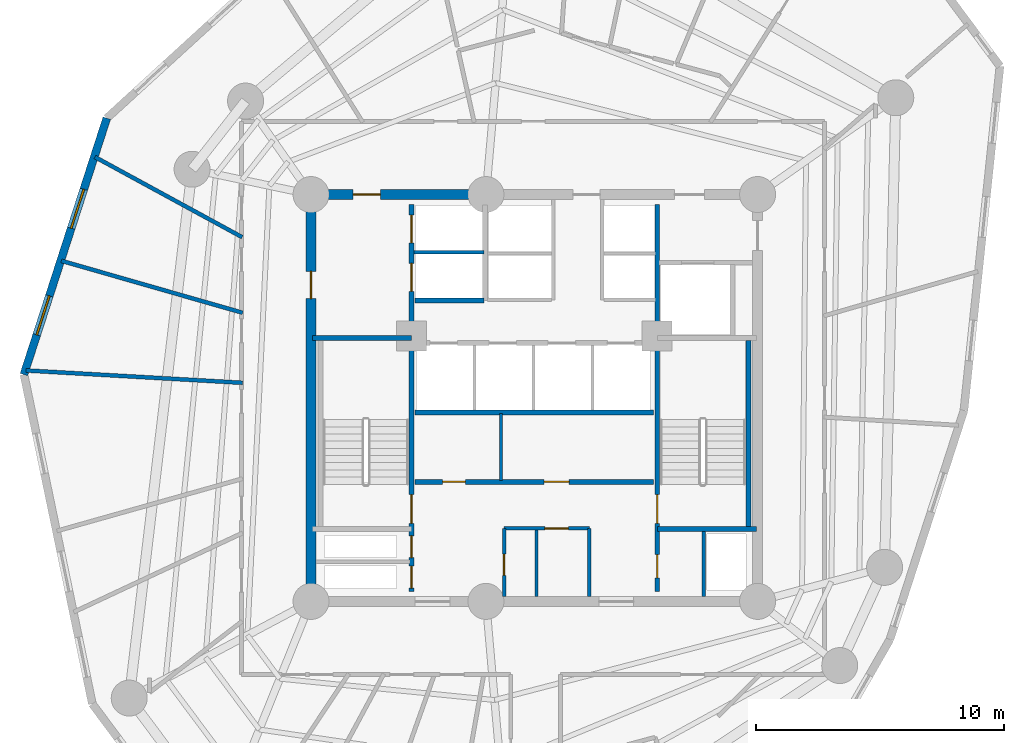
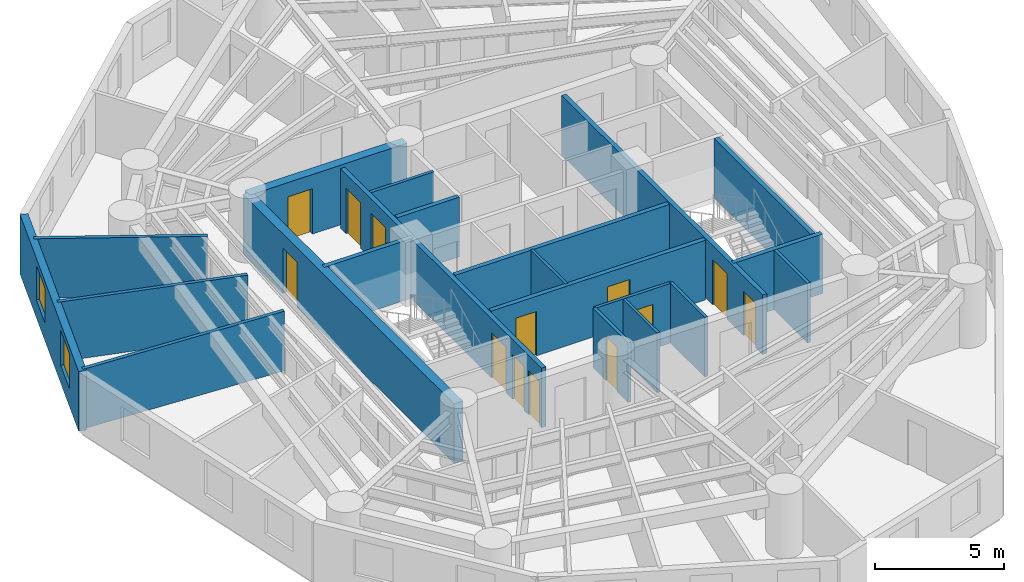
# One storey, part 4 of 8: 21 walls, 13 doors, 2 windows, 15 openings.
"""IFC4 building model written with IfcOpenShell, lengths in metres."""

import ifcopenshell
import ifcopenshell.guid

model = None  # the IFC model being written
_history = None  # IfcOwnerHistory: only IFC2X3 demands one
_inside = {}  # id of a spatial element -> (the spatial element, [elements in it])
_under = {}  # id of a project, library or spatial element -> (it, [spatial elements below it])
_declared = {}  # id of a project -> (the project, [libraries it declares])
_typed = {}  # id of a type object -> (the type object, [elements of that type])
_made_of = {}  # id of a material, layer set ... -> (it, [elements and type objects made of it])


def new_model(schema):
    """Start an empty IFC model of exactly this schema.

    Asked for "IFC4X3", IfcOpenShell would pick the latest addendum, in which some entities
    have other attributes; the version numbers below select the first issue.
    IFC2X3 requires an IfcOwnerHistory on every rooted entity: one is made here for all.
    """
    global model, _history
    if schema == "IFC4X3":
        model = ifcopenshell.file(schema_version=(4, 3, 0, 0))
    else:
        model = ifcopenshell.file(schema=schema)
    _inside.clear()
    _under.clear()
    _declared.clear()
    _typed.clear()
    _made_of.clear()
    _history = None
    if model.schema == "IFC2X3":
        org = make("IfcOrganization", Name="unknown")
        user = make(
            "IfcPersonAndOrganization",
            ThePerson=make("IfcPerson", FamilyName="unknown"),
            TheOrganization=org,
        )
        app = make(
            "IfcApplication",
            ApplicationDeveloper=org,
            Version="unknown",
            ApplicationFullName="unknown",
            ApplicationIdentifier="unknown",
        )
        _history = make(
            "IfcOwnerHistory",
            OwningUser=user,
            OwningApplication=app,
            ChangeAction="ADDED",
            CreationDate=0,
        )
    return model


def make(cls, **values):
    """One entity of the class cls with the attributes given. An attribute that is None is left unset."""
    return model.create_entity(
        cls, **{name: value for name, value in values.items() if value is not None}
    )


def rooted(cls, **values):
    """An entity with a GlobalId (a new one), such as an element, a storey or a relation."""
    return make(cls, GlobalId=ifcopenshell.guid.new(), OwnerHistory=_history, **values)


def si_unit(unit_type, name, prefix=None):
    """IfcSIUnit, for example si_unit("LENGTHUNIT", "METRE", prefix="MILLI")."""
    return make("IfcSIUnit", UnitType=unit_type, Prefix=prefix, Name=name)


def assignment(units):
    """IfcUnitAssignment: the units of a project."""
    return None if units is None else make("IfcUnitAssignment", Units=units)


def point(xyz):
    """IfcCartesianPoint."""
    return None if xyz is None else make("IfcCartesianPoint", Coordinates=xyz)


def direction(xyz):
    """IfcDirection."""
    return None if xyz is None else make("IfcDirection", DirectionRatios=xyz)


def frame(location, z_axis=None, x_axis=None):
    """IfcAxis2Placement3D, a coordinate frame: its origin and axes. An axis left out is left unset."""
    return make(
        "IfcAxis2Placement3D",
        Location=point(location),
        Axis=direction(z_axis),
        RefDirection=direction(x_axis),
    )


def frame_2d(location, x_axis=None):
    """IfcAxis2Placement2D, a coordinate frame in the plane: its origin and x axis."""
    return make(
        "IfcAxis2Placement2D", Location=point(location), RefDirection=direction(x_axis)
    )


def origin():
    """The frame at (0, 0, 0) with its axes left unset."""
    return frame((0.0, 0.0, 0.0))


def origin_with_axes():
    """The frame at (0, 0, 0) with the z axis (0, 0, 1) and the x axis (1, 0, 0) written out."""
    return frame((0.0, 0.0, 0.0), z_axis=(0.0, 0.0, 1.0), x_axis=(1.0, 0.0, 0.0))


def place(relative_to, where):
    """IfcLocalPlacement: puts the frame where relative to a parent placement (None: the world)."""
    return make(
        "IfcLocalPlacement", PlacementRelTo=relative_to, RelativePlacement=where
    )


def context(
    kind, dimensions, precision=None, world=None, true_north=None, identifier=None
):
    """IfcGeometricRepresentationContext, for example the 3D "Model" context."""
    return make(
        "IfcGeometricRepresentationContext",
        ContextIdentifier=identifier,
        ContextType=kind,
        CoordinateSpaceDimension=dimensions,
        Precision=precision,
        WorldCoordinateSystem=world,
        TrueNorth=true_north,
    )


def subcontext(parent, identifier, kind, view, scale=None):
    """IfcGeometricRepresentationSubContext, for example "Body" below "Model"."""
    return make(
        "IfcGeometricRepresentationSubContext",
        ContextIdentifier=identifier,
        ContextType=kind,
        ParentContext=parent,
        TargetScale=scale,
        TargetView=view,
    )


def project(units=None, contexts=None):
    """IfcProject with its units and contexts."""
    return rooted(
        "IfcProject",
        Name="project",
        RepresentationContexts=contexts,
        UnitsInContext=assignment(units),
    )


def spatial(cls, under=None, at=None, **own):
    """A site, building, storey or space (cls), placed at a placement, below another one or the project."""
    s = rooted(cls, ObjectPlacement=at, **own)
    if under is not None:
        _under.setdefault(under.id(), (under, []))[1].append(s)
    return s


def profile(cls, at=None, kind="AREA", **sizes):
    """A parametric profile (cls). Its sizes go by their IFC names, for example OverallWidth=200.0."""
    return make(cls, ProfileType=kind, Position=at, **sizes)


def rectangle(**sizes):
    """IfcRectangleProfileDef."""
    return profile("IfcRectangleProfileDef", **sizes)


def extrude(swept, where, along, depth):
    """IfcExtrudedAreaSolid: the profile swept, set in the frame where, extruded along a direction by depth."""
    return make(
        "IfcExtrudedAreaSolid",
        SweptArea=swept,
        Position=where,
        ExtrudedDirection=direction(along),
        Depth=depth,
    )


def shape(context_of_items, identifier, shape_type, items):
    """IfcShapeRepresentation: the items that make up one representation, for example the "Body"."""
    return make(
        "IfcShapeRepresentation",
        ContextOfItems=context_of_items,
        RepresentationIdentifier=identifier,
        RepresentationType=shape_type,
        Items=items,
    )


def source(mapping_origin, context_of_items, identifier, shape_type, items):
    """IfcRepresentationMap: a shape defined once, which mapped items show again and again."""
    return make(
        "IfcRepresentationMap",
        MappingOrigin=mapping_origin,
        MappedRepresentation=shape(context_of_items, identifier, shape_type, items),
    )


def transform(
    local_origin,
    x_axis=None,
    y_axis=None,
    z_axis=None,
    scale=None,
    scale2=None,
    scale3=None,
    uniform=True,
):
    """IfcCartesianTransformationOperator3D, or its non-uniform kind. x_axis, y_axis, z_axis: its Axis1, 2, 3."""
    if uniform:
        return make(
            "IfcCartesianTransformationOperator3D",
            Axis1=direction(x_axis),
            Axis2=direction(y_axis),
            LocalOrigin=point(local_origin),
            Scale=scale,
            Axis3=direction(z_axis),
        )
    return make(
        "IfcCartesianTransformationOperator3DnonUniform",
        Axis1=direction(x_axis),
        Axis2=direction(y_axis),
        LocalOrigin=point(local_origin),
        Scale=scale,
        Axis3=direction(z_axis),
        Scale2=scale2,
        Scale3=scale3,
    )


def mapped(mapping_source, mapping_target):
    """IfcMappedItem: shows the shape of a source again, moved by a transform."""
    return make(
        "IfcMappedItem", MappingSource=mapping_source, MappingTarget=mapping_target
    )


def material(Name=None, Category=None):
    """IfcMaterial."""
    return make("IfcMaterial", Name=Name, Category=Category)


def layer(
    of_material, thickness, ventilated=None, Name=None, Category=None, Priority=None
):
    """IfcMaterialLayer: one layer of a wall or slab, of a material (None: an air gap)."""
    return make(
        "IfcMaterialLayer",
        Material=of_material,
        LayerThickness=thickness,
        IsVentilated=ventilated,
        Name=Name,
        Category=Category,
        Priority=Priority,
    )


def layer_set(layers, Name=None):
    """IfcMaterialLayerSet."""
    return make("IfcMaterialLayerSet", MaterialLayers=layers, LayerSetName=Name)


def made_of(thing, what):
    """Note that an element or type object is made of a material, layer set ...; save() writes the relation."""
    if what is not None:
        _made_of.setdefault(what.id(), (what, []))[1].append(thing)
    return thing


def type_object(cls, material=None, **own):
    """A type object (cls), such as IfcWallType, which elements share."""
    return made_of(rooted(cls, **own), material)


def element(
    cls,
    number,
    at=None,
    inside=None,
    cuts=None,
    type_object=None,
    material=None,
    context=None,
    identifier="Body",
    shape_type=None,
    held_by="IfcProductDefinitionShape",
    body=None,
    shapes=None,
    **own,
):
    """One element of the class cls, such as IfcWall. Its Tag is "e" and its number.

    at: its placement. inside: the storey or other place that contains it. cuts: it is an
    opening in that element (IfcRelVoidsElement). A single representation is given by context,
    identifier, shape_type and body (its items); several are given by shapes. held_by: the class
    of the entity that holds the representations. save() writes the other relations.
    """
    e = rooted(cls, Tag="e%d" % number, ObjectPlacement=at, **own)
    if body is not None:
        shapes = [shape(context, identifier, shape_type, body)]
    if shapes is not None:
        e.Representation = make(held_by, Representations=shapes)
    if inside is not None:
        _inside.setdefault(inside.id(), (inside, []))[1].append(e)
    if cuts is not None:
        rooted(
            "IfcRelVoidsElement", RelatingBuildingElement=cuts, RelatedOpeningElement=e
        )
    if type_object is not None:
        _typed.setdefault(type_object.id(), (type_object, []))[1].append(e)
    return made_of(e, material)


def fill(opening, filler):
    """IfcRelFillsElement: the door or window that sits in an opening."""
    return rooted(
        "IfcRelFillsElement",
        RelatingOpeningElement=opening,
        RelatedBuildingElement=filler,
    )


def aggregate(whole, parts):
    """IfcRelAggregates: a whole, such as a stair, and the parts it consists of."""
    return rooted("IfcRelAggregates", RelatingObject=whole, RelatedObjects=parts)


def save(model, path):
    """Write the relations noted so far, then the file.

    IfcRelAggregates (storeys below a building ...), IfcRelContainedInSpatialStructure (elements
    in a storey), IfcRelDefinesByType, IfcRelAssociatesMaterial and IfcRelDeclares: one each for
    every whole, place, type object, material and project.
    """
    for whole, parts in _under.values():
        aggregate(whole, parts)
    for where, things in _inside.values():
        rooted(
            "IfcRelContainedInSpatialStructure",
            RelatedElements=things,
            RelatingStructure=where,
        )
    for kind, things in _typed.values():
        rooted("IfcRelDefinesByType", RelatedObjects=things, RelatingType=kind)
    for what, things in _made_of.values():
        rooted("IfcRelAssociatesMaterial", RelatedObjects=things, RelatingMaterial=what)
    for by, libraries in _declared.values():
        rooted("IfcRelDeclares", RelatingContext=by, RelatedDefinitions=libraries)
    model.write(path)


model = new_model("IFC4")

# Units and contexts
model_context = context("Model", 3, precision=1e-05, world=origin(), true_north=direction((0.0, 1.0)))
body_context = subcontext(model_context, "Body", "Model", "MODEL_VIEW")
ifc_project = project(units=[si_unit("LENGTHUNIT", "METRE"), si_unit("AREAUNIT", "SQUARE_METRE"), si_unit("VOLUMEUNIT", "CUBIC_METRE"), si_unit("PLANEANGLEUNIT", "RADIAN"), si_unit("MASSUNIT", "GRAM", prefix="KILO")], contexts=[model_context])

# Site, building, storey
site_placement = place(None, origin())
site = spatial("IfcSite", under=ifc_project, at=site_placement, CompositionType="ELEMENT")
building_placement = place(site_placement, origin())
building = spatial("IfcBuilding", under=site, at=building_placement, Name="Karkom Vertical University and Central Library", CompositionType="ELEMENT")
storey_placement = place(building_placement, frame((0.0, 0.0, 141.949951171875)))
storey = spatial("IfcBuildingStorey", under=building, at=storey_placement, Name="L40", CompositionType="ELEMENT", Elevation=141.949951171875)

# Wall, openings, windows
ifc_material_1 = material(Name="Brick-faced precast concrete C45/55", Category="masonry")
ifc_layer_1 = layer(ifc_material_1, 0.320068359375)
ifc_layer_set_1 = layer_set([ifc_layer_1], Name="Brick-faced precast concrete C45/55")
wall_type_1 = type_object("IfcWallType", Name="ENV-WL-BRK-320", PredefinedType="SOLIDWALL", material=ifc_layer_set_1)
wall_1_placement = place(storey_placement, frame((11.26806640625, 37.779541015625, 0.0), z_axis=(0.0, 0.0, 1.0), x_axis=(-0.307677236824, -0.951490787102, 0.0)))
wall_1 = element("IfcWall", 1, at=wall_1_placement, inside=storey, type_object=wall_type_1, Name="Level 40 Brick-Faced Precast Facade Wall 01", PredefinedType="SOLIDWALL", context=body_context, shape_type="SweptSolid", body=[
    extrude(rectangle(XDim=10.860595703125, YDim=0.320068359375, at=frame_2d((5.43017578125, 0.0))), origin(), (0.0, 0.0, 1.0), 2.824951171875),
])
opening_1_placement = place(wall_1_placement, frame((3.014404296875, 0.0, 0.85009765625)))
opening_1 = element("IfcOpeningElement", 2, at=opening_1_placement, cuts=wall_1, Name="Opening WN-06", PredefinedType="OPENING", context=body_context, shape_type="SweptSolid", body=[
    extrude(rectangle(XDim=1.64990234375, YDim=1.64990234375, at=frame_2d((0.824951171875, 0.824951171875))), frame((0.0, 0.169921875, 0.0), z_axis=(0.0, -1.0, 0.0), x_axis=(1.0, 0.0, 0.0)), (0.0, 0.0, 1.0), 0.340087890625),
])
opening_2_placement = place(wall_1_placement, frame((7.5283203125, 0.0, 0.85009765625)))
opening_2 = element("IfcOpeningElement", 3, at=opening_2_placement, cuts=wall_1, Name="Opening WN-06", PredefinedType="OPENING", context=body_context, shape_type="SweptSolid", body=[
    extrude(rectangle(XDim=1.64990234375, YDim=1.64990234375, at=frame_2d((0.824951171875, 0.824951171875))), frame((0.0, 0.169921875, 0.0), z_axis=(0.0, -1.0, 0.0), x_axis=(1.0, 0.0, 0.0)), (0.0, 0.0, 1.0), 0.340087890625),
])
ifc_material_2 = material(Name="Aluminium thermal-break frame with solar-control IGU", Category="aluminium")
window_type = type_object("IfcWindowType", Name="ENV-WIN-WN-06", PartitioningType="SINGLE_PANEL", PredefinedType="WINDOW", material=ifc_material_2)
shared_shape_1 = source(origin_with_axes(), body_context, "Body", "SweptSolid", [
    extrude(rectangle(XDim=1.64990234375, YDim=1.64990234375, at=frame_2d((0.824951171875, 0.824951171875))), frame((0.0, 0.030029296875, 0.0), z_axis=(0.0, -1.0, 0.0), x_axis=(1.0, 0.0, 0.0)), (0.0, 0.0, 1.0), 0.06005859375),
])
window_1_placement = place(opening_1_placement, origin())
window_1 = element("IfcWindow", 4, at=window_1_placement, inside=storey, type_object=window_type, Name="Level 40 Punched Window 1.1", OverallHeight=1.64990234375, OverallWidth=1.64990234375, PartitioningType="SINGLE_PANEL", PredefinedType="WINDOW", context=body_context, shape_type="MappedRepresentation", body=[
    mapped(shared_shape_1, transform((0.0, 0.0, 0.0), scale=1.0)),
])
fill(opening_1, window_1)
window_2_placement = place(opening_2_placement, origin())
window_2 = element("IfcWindow", 5, at=window_2_placement, inside=storey, type_object=window_type, Name="Level 40 Punched Window 1.2", OverallHeight=1.64990234375, OverallWidth=1.64990234375, PartitioningType="SINGLE_PANEL", PredefinedType="WINDOW", context=body_context, shape_type="MappedRepresentation", body=[
    mapped(shared_shape_1, transform((0.0, 0.0, 0.0), scale=1.0)),
])
fill(opening_2, window_2)

# Walls
ifc_material_3 = material(Name="Insulated metal-stud drywall 160mm", Category="gypsum")
ifc_layer_2 = layer(ifc_material_3, 0.159912109375)
ifc_layer_set_2 = layer_set([ifc_layer_2], Name="Insulated metal-stud drywall 160mm")
wall_type_2 = type_object("IfcWallType", Name="INT-WL-COR-160", PredefinedType="PARTITIONING", material=ifc_layer_set_2)
wall_2_placement = place(storey_placement, frame((8.007568359375, 27.6083984375, 0.0), z_axis=(0.0, 0.0, 1.0), x_axis=(0.998377819676, -0.05693618514, 0.0)))
element("IfcWall", 6, at=wall_2_placement, inside=storey, type_object=wall_type_2, Name="Level 40 Interior Partition Wall L40-PW-002", PredefinedType="PARTITIONING", context=body_context, shape_type="SweptSolid", body=[
    extrude(rectangle(XDim=8.751708984375, YDim=0.159912109375, at=frame_2d((4.3759765625, 0.0))), origin(), (0.0, 0.0, 1.0), 2.824951171875),
])
wall_3_placement = place(storey_placement, frame((16.7431640625, 29.93359375, 0.0), z_axis=(0.0, 0.0, 1.0), x_axis=(-0.961259340158, 0.275645571268, 0.0)))
element("IfcWall", 7, at=wall_3_placement, inside=storey, type_object=wall_type_2, Name="Level 40 Interior Partition Wall L40-PW-031", PredefinedType="PARTITIONING", context=body_context, shape_type="SweptSolid", body=[
    extrude(rectangle(XDim=7.602783203125, YDim=0.159912109375, at=frame_2d((3.80126953125, 0.0))), origin(), (0.0, 0.0, 1.0), 2.824951171875),
])
wall_4_placement = place(storey_placement, frame((16.726318359375, 32.979736328125, 0.0), z_axis=(0.0, 0.0, 1.0), x_axis=(-0.878227967227, 0.478242237345, 0.0)))
element("IfcWall", 8, at=wall_4_placement, inside=storey, type_object=wall_type_2, Name="Level 40 Interior Partition Wall L40-PW-030", PredefinedType="PARTITIONING", context=body_context, shape_type="SweptSolid", body=[
    extrude(rectangle(XDim=6.760498046875, YDim=0.159912109375, at=frame_2d((3.38037109375, 0.0))), origin(), (0.0, 0.0, 1.0), 2.824951171875),
])
ifc_material_4 = material(Name="Moisture-resistant drywall 120mm", Category="gypsum")
ifc_layer_3 = layer(ifc_material_4, 0.1201171875)
ifc_layer_set_3 = layer_set([ifc_layer_3], Name="Moisture-resistant drywall 120mm")
wall_type_3 = type_object("IfcWallType", Name="INT-WL-INT-120", PredefinedType="PARTITIONING", material=ifc_layer_set_3)
wall_5_placement = place(storey_placement, frame((27.14990234375, 23.169921875, 0.0), z_axis=(0.0, 0.0, 1.0), x_axis=(0.0, 1.0, 0.0)))
element("IfcWall", 9, at=wall_5_placement, inside=storey, type_object=wall_type_3, Name="Level 40 Interior Partition Wall L40-CW-B1-K2", PredefinedType="PARTITIONING", context=body_context, shape_type="SweptSolid", body=[
    extrude(rectangle(XDim=2.7001953125, YDim=0.1201171875, at=frame_2d((1.35009765625, 0.0))), origin(), (0.0, 0.0, 1.0), 2.824951171875),
])
wall_6_placement = place(storey_placement, frame((28.580078125, 18.507080078125, 0.0), z_axis=(0.0, 0.0, 1.0), x_axis=(0.0, 1.0, 0.0)))
element("IfcWall", 10, at=wall_6_placement, inside=storey, type_object=wall_type_3, Name="Level 40 Interior Partition Wall L40-CW-K2-DIV", PredefinedType="PARTITIONING", context=body_context, shape_type="SweptSolid", body=[
    extrude(rectangle(XDim=2.66162109375, YDim=0.1201171875, at=frame_2d((1.330810546875, 0.0))), origin(), (0.0, 0.0, 1.0), 2.824951171875),
])

# Wall, opening, door
ifc_material_5 = material(Name="Metal-stud gypsum partition 140mm", Category="gypsum")
ifc_layer_4 = layer(ifc_material_5, 0.139892578125)
ifc_layer_set_4 = layer_set([ifc_layer_4], Name="Metal-stud gypsum partition 140mm")
wall_type_4 = type_object("IfcWallType", Name="INT-WL-SUB-140", PredefinedType="PARTITIONING", material=ifc_layer_set_4)
wall_7_placement = place(storey_placement, frame((27.280029296875, 21.239990234375, 0.0), z_axis=(0.0, 0.0, 1.0), x_axis=(1.0, 0.0, 0.0)))
wall_7 = element("IfcWall", 11, at=wall_7_placement, inside=storey, type_object=wall_type_4, Name="Level 40 Interior Partition Wall L40-CW-KBAY-N", PredefinedType="PARTITIONING", context=body_context, shape_type="SweptSolid", body=[
    extrude(rectangle(XDim=3.43994140625, YDim=0.139892578125, at=frame_2d((1.719970703125, 0.0))), origin(), (0.0, 0.0, 1.0), 2.824951171875),
])
opening_3_placement = place(wall_7_placement, frame((1.64990234375, 0.0, 0.0)))
opening_3 = element("IfcOpeningElement", 12, at=opening_3_placement, cuts=wall_7, Name="Opening D-WC1", PredefinedType="OPENING", context=body_context, shape_type="SweptSolid", body=[
    extrude(rectangle(XDim=0.93994140625, YDim=2.10009765625, at=frame_2d((0.469970703125, 1.050048828125))), frame((0.0, 0.080078125, 0.0), z_axis=(0.0, -1.0, 0.0), x_axis=(1.0, 0.0, 0.0)), (0.0, 0.0, 1.0), 0.159912109375),
])
ifc_material_6 = material(Name="Fire-rated laminate moisture-resistant door", Category="wood")
door_type_1 = type_object("IfcDoorType", Name="INT-DR-WC1", OperationType="NOTDEFINED", PredefinedType="DOOR", material=ifc_material_6)
shared_shape_2 = source(origin_with_axes(), body_context, "Body", "SweptSolid", [
    extrude(rectangle(XDim=0.93994140625, YDim=2.10009765625, at=frame_2d((0.469970703125, 1.050048828125))), frame((0.0, 0.02490234375, 0.0), z_axis=(0.0, -1.0, 0.0), x_axis=(1.0, 0.0, 0.0)), (0.0, 0.0, 1.0), 0.050048828125),
])
door_1_placement = place(opening_3_placement, origin())
door_1 = element("IfcDoor", 13, at=door_1_placement, inside=storey, type_object=door_type_1, Name="Level 40 Staff WC Door", OperationType="SINGLE_SWING_LEFT", OverallHeight=2.10009765625, OverallWidth=0.93994140625, PredefinedType="DOOR", context=body_context, shape_type="MappedRepresentation", body=[
    mapped(shared_shape_2, transform((0.0, 0.0, 0.0), scale=1.0)),
])
fill(opening_3, door_1)

wall_8_placement = place(storey_placement, frame((27.280029296875, 18.507080078125, 0.0), z_axis=(0.0, 0.0, 1.0), x_axis=(0.0, 1.0, 0.0)))
wall_8 = element("IfcWall", 14, at=wall_8_placement, inside=storey, type_object=wall_type_4, Name="Level 40 Interior Partition Wall L40-CW-KBAY-W", PredefinedType="PARTITIONING", context=body_context, shape_type="SweptSolid", body=[
    extrude(rectangle(XDim=2.73291015625, YDim=0.139892578125, at=frame_2d((1.366455078125, 0.0))), origin(), (0.0, 0.0, 1.0), 2.824951171875),
])
opening_4_placement = place(wall_8_placement, frame((0.840087890625, 0.0, 0.0)))
opening_4 = element("IfcOpeningElement", 15, at=opening_4_placement, cuts=wall_8, Name="Opening D-BATH", PredefinedType="OPENING", context=body_context, shape_type="SweptSolid", body=[
    extrude(rectangle(XDim=0.860107421875, YDim=2.10009765625, at=frame_2d((0.43017578125, 1.050048828125))), frame((0.0, 0.080078125, 0.0), z_axis=(0.0, -1.0, 0.0), x_axis=(1.0, 0.0, 0.0)), (0.0, 0.0, 1.0), 0.159912109375),
])
ifc_material_7 = material(Name="Moisture-resistant oak door", Category="wood")
door_type_2 = type_object("IfcDoorType", Name="INT-DR-BATH", OperationType="NOTDEFINED", PredefinedType="DOOR", material=ifc_material_7)
shared_shape_3 = source(origin_with_axes(), body_context, "Body", "SweptSolid", [
    extrude(rectangle(XDim=0.860107421875, YDim=2.10009765625, at=frame_2d((0.43017578125, 1.050048828125))), frame((0.0, 0.02490234375, 0.0), z_axis=(0.0, -1.0, 0.0), x_axis=(1.0, 0.0, 0.0)), (0.0, 0.0, 1.0), 0.050048828125),
])
door_2_placement = place(opening_4_placement, origin())
door_2 = element("IfcDoor", 16, at=door_2_placement, inside=storey, type_object=door_type_2, Name="Level 40 Cleaners Store Door", OperationType="SINGLE_SWING_RIGHT", OverallHeight=2.10009765625, OverallWidth=0.860107421875, PredefinedType="DOOR", context=body_context, shape_type="MappedRepresentation", body=[
    mapped(shared_shape_3, transform((0.0, 0.0, 0.0), scale=1.0)),
])
fill(opening_4, door_2)

# Walls
wall_9_placement = place(storey_placement, frame((30.719970703125, 18.507080078125, 0.0), z_axis=(0.0, 0.0, 1.0), x_axis=(0.0, 1.0, 0.0)))
element("IfcWall", 17, at=wall_9_placement, inside=storey, type_object=wall_type_4, Name="Level 40 Interior Partition Wall L40-CW-KBAY-E", PredefinedType="PARTITIONING", context=body_context, shape_type="SweptSolid", body=[
    extrude(rectangle(XDim=2.73291015625, YDim=0.139892578125, at=frame_2d((1.366455078125, 0.0))), origin(), (0.0, 0.0, 1.0), 2.824951171875),
])
ifc_layer_5 = layer(ifc_material_5, 0.139892578125)
ifc_layer_set_5 = layer_set([ifc_layer_5], Name="Metal-stud gypsum partition 140mm")
wall_type_5 = type_object("IfcWallType", Name="INT-WL-SUB-140H", PredefinedType="PARTITIONING", material=ifc_layer_set_5)
wall_10_placement = place(storey_placement, frame((35.320068359375, 18.507080078125, 0.0), z_axis=(0.0, 0.0, 1.0), x_axis=(0.0, 1.0, 0.0)))
element("IfcWall", 18, at=wall_10_placement, inside=storey, type_object=wall_type_5, Name="Level 40 Interior Partition Wall L40-CW-RIS-E", PredefinedType="PARTITIONING", context=body_context, shape_type="SweptSolid", body=[
    extrude(rectangle(XDim=2.603759765625, YDim=0.139892578125, at=frame_2d((1.3017578125, 0.0))), origin(), (0.0, 0.0, 1.0), 2.824951171875),
])
ifc_layer_6 = layer(ifc_material_5, 0.139892578125)
ifc_layer_set_6 = layer_set([ifc_layer_6], Name="Metal-stud gypsum partition 140mm")
wall_type_6 = type_object("IfcWallType", Name="INT-WL-SUB-140X", PredefinedType="PARTITIONING", material=ifc_layer_set_6)
wall_11_placement = place(storey_placement, frame((23.652099609375, 32.3701171875, 0.0), z_axis=(0.0, 0.0, 1.0), x_axis=(1.0, 0.0, 0.0)))
element("IfcWall", 19, at=wall_11_placement, inside=storey, type_object=wall_type_6, Name="Level 40 Interior Partition Wall L40-CW-FFL-M", PredefinedType="PARTITIONING", context=body_context, shape_type="SweptSolid", body=[
    extrude(rectangle(XDim=2.827880859375, YDim=0.139892578125, at=frame_2d((1.4140625, 0.0))), origin(), (0.0, 0.0, 1.0), 2.824951171875),
])

# Wall, opening, door
ifc_material_8 = material(Name="Concrete C50/60", Category="concrete")
ifc_layer_7 = layer(ifc_material_8, 0.39990234375)
ifc_layer_set_7 = layer_set([ifc_layer_7], Name="Concrete C50/60")
wall_type_7 = type_object("IfcWallType", Name="STR-WL-CW-400", PredefinedType="SHEAR", material=ifc_layer_set_7)
wall_12_placement = place(storey_placement, frame((26.550048828125, 34.699951171875, 0.0), z_axis=(0.0, 0.0, 1.0), x_axis=(-1.0, 0.0, 0.0)))
wall_12 = element("IfcWall", 20, at=wall_12_placement, inside=storey, type_object=wall_type_7, Name="Level 40 Central Core Shear Wall NW2", PredefinedType="SHEAR", context=body_context, shape_type="SweptSolid", body=[
    extrude(rectangle(XDim=7.050048828125, YDim=0.39990234375, at=frame_2d((3.52490234375, 0.0))), origin(), (0.0, 0.0, 1.0), 2.824951171875),
])
opening_5_placement = place(wall_12_placement, frame((4.25, 0.0, 0.0)))
opening_5 = element("IfcOpeningElement", 21, at=opening_5_placement, cuts=wall_12, Name="Opening FD-FFL", PredefinedType="OPENING", context=body_context, shape_type="SweptSolid", body=[
    extrude(rectangle(XDim=1.10009765625, YDim=2.14990234375, at=frame_2d((0.550048828125, 1.074951171875))), frame((0.0, 0.2099609375, 0.0), z_axis=(0.0, -1.0, 0.0), x_axis=(1.0, 0.0, 0.0)), (0.0, 0.0, 1.0), 0.419921875),
])
ifc_material_9 = material(Name="Painted steel smoke-seal fire door", Category="steel")
door_type_3 = type_object("IfcDoorType", Name="INT-DR-FFL", OperationType="NOTDEFINED", PredefinedType="DOOR", material=ifc_material_9)
shared_shape_4 = source(origin_with_axes(), body_context, "Body", "SweptSolid", [
    extrude(rectangle(XDim=1.10009765625, YDim=2.14990234375, at=frame_2d((0.550048828125, 1.074951171875))), frame((0.0, 0.02490234375, 0.0), z_axis=(0.0, -1.0, 0.0), x_axis=(1.0, 0.0, 0.0)), (0.0, 0.0, 1.0), 0.050048828125),
])
door_3_placement = place(opening_5_placement, origin())
door_3 = element("IfcDoor", 22, at=door_3_placement, inside=storey, type_object=door_type_3, Name="Level 40 Firefighting Lobby Door", OperationType="SINGLE_SWING_LEFT", OverallHeight=2.14990234375, OverallWidth=1.10009765625, PredefinedType="DOOR", context=body_context, shape_type="MappedRepresentation", body=[
    mapped(shared_shape_4, transform((0.0, 0.0, 0.0), scale=1.0)),
])
fill(opening_5, door_3)

wall_13_placement = place(storey_placement, frame((19.5, 34.699951171875, 0.0), z_axis=(0.0, 0.0, 1.0), x_axis=(0.0, -1.0, 0.0)))
wall_13 = element("IfcWall", 23, at=wall_13_placement, inside=storey, type_object=wall_type_7, Name="Level 40 Central Core Shear Wall WW", PredefinedType="SHEAR", context=body_context, shape_type="SweptSolid", body=[
    extrude(rectangle(XDim=16.39990234375, YDim=0.39990234375, at=frame_2d((8.199951171875, 0.0))), origin(), (0.0, 0.0, 1.0), 2.824951171875),
])
opening_6_placement = place(wall_13_placement, frame((3.10009765625, 0.0, 0.0)))
opening_6 = element("IfcOpeningElement", 24, at=opening_6_placement, cuts=wall_13, Name="Opening FD-FFL", PredefinedType="OPENING", context=body_context, shape_type="SweptSolid", body=[
    extrude(rectangle(XDim=1.10009765625, YDim=2.14990234375, at=frame_2d((0.550048828125, 1.074951171875))), frame((0.0, 0.2099609375, 0.0), z_axis=(0.0, -1.0, 0.0), x_axis=(1.0, 0.0, 0.0)), (0.0, 0.0, 1.0), 0.419921875),
])
door_4_placement = place(opening_6_placement, origin())
door_4 = element("IfcDoor", 25, at=door_4_placement, inside=storey, type_object=door_type_3, Name="Level 40 West Corridor Firefighting Lobby Door", OperationType="SINGLE_SWING_RIGHT", OverallHeight=2.14990234375, OverallWidth=1.10009765625, PredefinedType="DOOR", context=body_context, shape_type="MappedRepresentation", body=[
    mapped(shared_shape_4, transform((0.0, 0.0, 0.0), scale=1.0)),
])
fill(opening_6, door_4)

# Wall, openings, doors
ifc_material_10 = material(Name="Concrete C45/55", Category="concrete")
ifc_layer_8 = layer(ifc_material_10, 0.199951171875)
ifc_layer_set_8 = layer_set([ifc_layer_8], Name="Concrete C45/55")
wall_type_8 = type_object("IfcWallType", Name="STR-WL-ST-200", PredefinedType="SHEAR", material=ifc_layer_set_8)
wall_14_placement = place(storey_placement, frame((23.544921875, 18.699951171875, 0.0), z_axis=(0.0, 0.0, 1.0), x_axis=(0.0, 1.0, 0.0)))
wall_14 = element("IfcWall", 26, at=wall_14_placement, inside=storey, type_object=wall_type_8, Name="Level 40 Core Shaft Wall L40-CW-ST1-E", PredefinedType="SHEAR", context=body_context, shape_type="SweptSolid", body=[
    extrude(rectangle(XDim=15.60009765625, YDim=0.199951171875, at=frame_2d((7.800048828125, 0.0))), origin(), (0.0, 0.0, 1.0), 2.824951171875),
])
opening_7_placement = place(wall_14_placement, frame((2.75, 0.0, 0.0)))
opening_7 = element("IfcOpeningElement", 27, at=opening_7_placement, cuts=wall_14, Name="Opening FD-ST1", PredefinedType="OPENING", context=body_context, shape_type="SweptSolid", body=[
    extrude(rectangle(XDim=1.14990234375, YDim=2.14990234375, at=frame_2d((0.574951171875, 1.074951171875))), frame((0.0, 0.10986328125, 0.0), z_axis=(0.0, -1.0, 0.0), x_axis=(1.0, 0.0, 0.0)), (0.0, 0.0, 1.0), 0.219970703125),
])
opening_8_placement = place(wall_14_placement, frame((0.139892578125, 0.0, 0.0)))
opening_8 = element("IfcOpeningElement", 28, at=opening_8_placement, cuts=wall_14, Name="Opening FD-RIS", PredefinedType="OPENING", context=body_context, shape_type="SweptSolid", body=[
    extrude(rectangle(XDim=0.8798828125, YDim=2.10009765625, at=frame_2d((0.43994140625, 1.050048828125))), frame((0.0, 0.10986328125, 0.0), z_axis=(0.0, -1.0, 0.0), x_axis=(1.0, 0.0, 0.0)), (0.0, 0.0, 1.0), 0.219970703125),
])
opening_9_placement = place(wall_14_placement, frame((1.360107421875, 0.0, 0.0)))
opening_9 = element("IfcOpeningElement", 29, at=opening_9_placement, cuts=wall_14, Name="Opening FD-RIS", PredefinedType="OPENING", context=body_context, shape_type="SweptSolid", body=[
    extrude(rectangle(XDim=0.8798828125, YDim=2.10009765625, at=frame_2d((0.43994140625, 1.050048828125))), frame((0.0, 0.10986328125, 0.0), z_axis=(0.0, -1.0, 0.0), x_axis=(1.0, 0.0, 0.0)), (0.0, 0.0, 1.0), 0.219970703125),
])
opening_10_placement = place(wall_14_placement, frame((12.10009765625, 0.0, 0.0)))
opening_10 = element("IfcOpeningElement", 30, at=opening_10_placement, cuts=wall_14, Name="Opening LD-FFL", PredefinedType="OPENING", context=body_context, shape_type="SweptSolid", body=[
    extrude(rectangle(XDim=1.1201171875, YDim=2.14990234375, at=frame_2d((0.56005859375, 1.074951171875))), frame((0.0, 0.10986328125, 0.0), z_axis=(0.0, -1.0, 0.0), x_axis=(1.0, 0.0, 0.0)), (0.0, 0.0, 1.0), 0.219970703125),
])
opening_11_placement = place(wall_14_placement, frame((14.050048828125, 0.0, 0.0)))
opening_11 = element("IfcOpeningElement", 31, at=opening_11_placement, cuts=wall_14, Name="Opening LD-FFL", PredefinedType="OPENING", context=body_context, shape_type="SweptSolid", body=[
    extrude(rectangle(XDim=1.1201171875, YDim=2.14990234375, at=frame_2d((0.56005859375, 1.074951171875))), frame((0.0, 0.10986328125, 0.0), z_axis=(0.0, -1.0, 0.0), x_axis=(1.0, 0.0, 0.0)), (0.0, 0.0, 1.0), 0.219970703125),
])
ifc_material_11 = material(Name="Painted steel acoustic fire door", Category="steel")
door_type_4 = type_object("IfcDoorType", Name="INT-DR-ST1", OperationType="NOTDEFINED", PredefinedType="DOOR", material=ifc_material_11)
shared_shape_5 = source(origin_with_axes(), body_context, "Body", "SweptSolid", [
    extrude(rectangle(XDim=1.14990234375, YDim=2.14990234375, at=frame_2d((0.574951171875, 1.074951171875))), frame((0.0, 0.02490234375, 0.0), z_axis=(0.0, -1.0, 0.0), x_axis=(1.0, 0.0, 0.0)), (0.0, 0.0, 1.0), 0.050048828125),
])
door_5_placement = place(opening_7_placement, origin())
door_5 = element("IfcDoor", 32, at=door_5_placement, inside=storey, type_object=door_type_4, Name="Level 40 Stair ST-1 Fire Door", OperationType="SINGLE_SWING_LEFT", OverallHeight=2.14990234375, OverallWidth=1.14990234375, PredefinedType="DOOR", context=body_context, shape_type="MappedRepresentation", body=[
    mapped(shared_shape_5, transform((0.0, 0.0, 0.0), scale=1.0)),
])
fill(opening_7, door_5)
ifc_material_12 = material(Name="Painted steel riser access door", Category="steel")
door_type_5 = type_object("IfcDoorType", Name="INT-DR-RIS", OperationType="NOTDEFINED", PredefinedType="DOOR", material=ifc_material_12)
shared_shape_6 = source(origin_with_axes(), body_context, "Body", "SweptSolid", [
    extrude(rectangle(XDim=0.8798828125, YDim=2.10009765625, at=frame_2d((0.43994140625, 1.050048828125))), frame((0.0, 0.02490234375, 0.0), z_axis=(0.0, -1.0, 0.0), x_axis=(1.0, 0.0, 0.0)), (0.0, 0.0, 1.0), 0.050048828125),
])
door_6_placement = place(opening_8_placement, origin())
door_6 = element("IfcDoor", 33, at=door_6_placement, inside=storey, type_object=door_type_5, Name="Level 40 Electrical Riser Access Door", OperationType="SINGLE_SWING_LEFT", OverallHeight=2.10009765625, OverallWidth=0.8798828125, PredefinedType="DOOR", context=body_context, shape_type="MappedRepresentation", body=[
    mapped(shared_shape_6, transform((0.0, 0.0, 0.0), scale=1.0)),
])
fill(opening_8, door_6)
door_7_placement = place(opening_9_placement, origin())
door_7 = element("IfcDoor", 34, at=door_7_placement, inside=storey, type_object=door_type_5, Name="Level 40 Telecom Riser Access Door", OperationType="SINGLE_SWING_RIGHT", OverallHeight=2.10009765625, OverallWidth=0.8798828125, PredefinedType="DOOR", context=body_context, shape_type="MappedRepresentation", body=[
    mapped(shared_shape_6, transform((0.0, 0.0, 0.0), scale=1.0)),
])
fill(opening_9, door_7)
ifc_material_13 = material(Name="Fire-rated stainless-steel landing door", Category="steel")
door_type_6 = type_object("IfcDoorType", Name="INT-DR-LD-FFL", OperationType="SLIDING_TO_LEFT", PredefinedType="DOOR", material=ifc_material_13)
shared_shape_7 = source(origin_with_axes(), body_context, "Body", "SweptSolid", [
    extrude(rectangle(XDim=1.1201171875, YDim=2.14990234375, at=frame_2d((0.56005859375, 1.074951171875))), frame((0.0, 0.02490234375, 0.0), z_axis=(0.0, -1.0, 0.0), x_axis=(1.0, 0.0, 0.0)), (0.0, 0.0, 1.0), 0.050048828125),
])
door_8_placement = place(opening_10_placement, origin())
door_8 = element("IfcDoor", 35, at=door_8_placement, inside=storey, type_object=door_type_6, Name="Level 40 Firefighting Lift FFL-1 Landing Door", OperationType="SLIDING_TO_LEFT", OverallHeight=2.14990234375, OverallWidth=1.1201171875, PredefinedType="DOOR", context=body_context, shape_type="MappedRepresentation", body=[
    mapped(shared_shape_7, transform((0.0, 0.0, 0.0), scale=1.0)),
])
fill(opening_10, door_8)
door_9_placement = place(opening_11_placement, origin())
door_9 = element("IfcDoor", 36, at=door_9_placement, inside=storey, type_object=door_type_6, Name="Level 40 Firefighting Lift FFL-2 Landing Door", OperationType="SLIDING_TO_RIGHT", OverallHeight=2.14990234375, OverallWidth=1.1201171875, PredefinedType="DOOR", context=body_context, shape_type="MappedRepresentation", body=[
    mapped(shared_shape_7, transform((0.0, 0.0, 0.0), scale=1.0)),
])
fill(opening_11, door_9)

wall_15_placement = place(storey_placement, frame((33.455078125, 18.699951171875, 0.0), z_axis=(0.0, 0.0, 1.0), x_axis=(0.0, 1.0, 0.0)))
wall_15 = element("IfcWall", 37, at=wall_15_placement, inside=storey, type_object=wall_type_8, Name="Level 40 Core Shaft Wall L40-CW-ST2-W", PredefinedType="SHEAR", context=body_context, shape_type="SweptSolid", body=[
    extrude(rectangle(XDim=15.60009765625, YDim=0.199951171875, at=frame_2d((7.800048828125, 0.0))), origin(), (0.0, 0.0, 1.0), 2.824951171875),
])
opening_12_placement = place(wall_15_placement, frame((2.75, 0.0, 0.0)))
opening_12 = element("IfcOpeningElement", 38, at=opening_12_placement, cuts=wall_15, Name="Opening FD-ST1", PredefinedType="OPENING", context=body_context, shape_type="SweptSolid", body=[
    extrude(rectangle(XDim=1.14990234375, YDim=2.14990234375, at=frame_2d((0.574951171875, 1.074951171875))), frame((0.0, 0.10986328125, 0.0), z_axis=(0.0, -1.0, 0.0), x_axis=(1.0, 0.0, 0.0)), (0.0, 0.0, 1.0), 0.219970703125),
])
opening_13_placement = place(wall_15_placement, frame((0.550048828125, 0.0, 0.0)))
opening_13 = element("IfcOpeningElement", 39, at=opening_13_placement, cuts=wall_15, Name="Opening D-WC1", PredefinedType="OPENING", context=body_context, shape_type="SweptSolid", body=[
    extrude(rectangle(XDim=0.93994140625, YDim=2.10009765625, at=frame_2d((0.469970703125, 1.050048828125))), frame((0.0, 0.10986328125, 0.0), z_axis=(0.0, -1.0, 0.0), x_axis=(1.0, 0.0, 0.0)), (0.0, 0.0, 1.0), 0.219970703125),
])
door_10_placement = place(opening_12_placement, origin())
door_10 = element("IfcDoor", 40, at=door_10_placement, inside=storey, type_object=door_type_4, Name="Level 40 Stair ST-2 Fire Door", OperationType="SINGLE_SWING_RIGHT", OverallHeight=2.14990234375, OverallWidth=1.14990234375, PredefinedType="DOOR", context=body_context, shape_type="MappedRepresentation", body=[
    mapped(shared_shape_5, transform((0.0, 0.0, 0.0), scale=1.0)),
])
fill(opening_12, door_10)
door_11_placement = place(opening_13_placement, origin())
door_11 = element("IfcDoor", 41, at=door_11_placement, inside=storey, type_object=door_type_1, Name="Level 40 Accessible WC Door", OperationType="SINGLE_SWING_LEFT", OverallHeight=2.10009765625, OverallWidth=0.93994140625, PredefinedType="DOOR", context=body_context, shape_type="MappedRepresentation", body=[
    mapped(shared_shape_2, transform((0.0, 0.0, 0.0), scale=1.0)),
])
fill(opening_13, door_11)

wall_16_placement = place(storey_placement, frame((23.699951171875, 23.1201171875, 0.0), z_axis=(0.0, 0.0, 1.0), x_axis=(1.0, 0.0, 0.0)))
wall_16 = element("IfcWall", 42, at=wall_16_placement, inside=storey, type_object=wall_type_8, Name="Level 40 Core Shaft Wall L40-CW-B1-S", PredefinedType="SHEAR", context=body_context, shape_type="SweptSolid", body=[
    extrude(rectangle(XDim=9.60009765625, YDim=0.199951171875, at=frame_2d((4.800048828125, 0.0))), origin(), (0.0, 0.0, 1.0), 2.824951171875),
])
opening_14_placement = place(wall_16_placement, frame((1.10009765625, 0.0, 0.0)))
opening_14 = element("IfcOpeningElement", 43, at=opening_14_placement, cuts=wall_16, Name="Opening D-SVC1", PredefinedType="OPENING", context=body_context, shape_type="SweptSolid", body=[
    extrude(rectangle(XDim=0.919921875, YDim=2.10009765625, at=frame_2d((0.4599609375, 1.050048828125))), frame((0.0, 0.10986328125, 0.0), z_axis=(0.0, -1.0, 0.0), x_axis=(1.0, 0.0, 0.0)), (0.0, 0.0, 1.0), 0.219970703125),
])
opening_15_placement = place(wall_16_placement, frame((5.199951171875, 0.0, 0.0)))
opening_15 = element("IfcOpeningElement", 44, at=opening_15_placement, cuts=wall_16, Name="Opening D-STR1", PredefinedType="OPENING", context=body_context, shape_type="SweptSolid", body=[
    extrude(rectangle(XDim=1.0, YDim=2.14990234375, at=frame_2d((0.5, 1.074951171875))), frame((0.0, 0.10986328125, 0.0), z_axis=(0.0, -1.0, 0.0), x_axis=(1.0, 0.0, 0.0)), (0.0, 0.0, 1.0), 0.219970703125),
])
ifc_material_14 = material(Name="Painted timber service door", Category="wood")
door_type_7 = type_object("IfcDoorType", Name="INT-DR-SVC1", OperationType="NOTDEFINED", PredefinedType="DOOR", material=ifc_material_14)
shared_shape_8 = source(origin_with_axes(), body_context, "Body", "SweptSolid", [
    extrude(rectangle(XDim=0.919921875, YDim=2.10009765625, at=frame_2d((0.4599609375, 1.050048828125))), frame((0.0, 0.02490234375, 0.0), z_axis=(0.0, -1.0, 0.0), x_axis=(1.0, 0.0, 0.0)), (0.0, 0.0, 1.0), 0.050048828125),
])
door_12_placement = place(opening_14_placement, origin())
door_12 = element("IfcDoor", 45, at=door_12_placement, inside=storey, type_object=door_type_7, Name="Level 40 B1 West Store Door", OperationType="SINGLE_SWING_RIGHT", OverallHeight=2.10009765625, OverallWidth=0.919921875, PredefinedType="DOOR", context=body_context, shape_type="MappedRepresentation", body=[
    mapped(shared_shape_8, transform((0.0, 0.0, 0.0), scale=1.0)),
])
fill(opening_14, door_12)
ifc_material_15 = material(Name="Solid-core hardwood fire door", Category="wood")
door_type_8 = type_object("IfcDoorType", Name="INT-DR-STR1", OperationType="NOTDEFINED", PredefinedType="DOOR", material=ifc_material_15)
shared_shape_9 = source(origin_with_axes(), body_context, "Body", "SweptSolid", [
    extrude(rectangle(XDim=1.0, YDim=2.14990234375, at=frame_2d((0.5, 1.074951171875))), frame((0.0, 0.02490234375, 0.0), z_axis=(0.0, -1.0, 0.0), x_axis=(1.0, 0.0, 0.0)), (0.0, 0.0, 1.0), 0.050048828125),
])
door_13_placement = place(opening_15_placement, origin())
door_13 = element("IfcDoor", 46, at=door_13_placement, inside=storey, type_object=door_type_8, Name="Level 40 B1 East Plant Door", OperationType="SINGLE_SWING_LEFT", OverallHeight=2.14990234375, OverallWidth=1.0, PredefinedType="DOOR", context=body_context, shape_type="MappedRepresentation", body=[
    mapped(shared_shape_9, transform((0.0, 0.0, 0.0), scale=1.0)),
])
fill(opening_15, door_13)

# Walls
wall_17_placement = place(storey_placement, frame((23.699951171875, 25.919921875, 0.0), z_axis=(0.0, 0.0, 1.0), x_axis=(1.0, 0.0, 0.0)))
element("IfcWall", 47, at=wall_17_placement, inside=storey, type_object=wall_type_8, Name="Level 40 Core Shaft Wall L40-CW-B1-N", PredefinedType="SHEAR", context=body_context, shape_type="SweptSolid", body=[
    extrude(rectangle(XDim=9.60009765625, YDim=0.199951171875, at=frame_2d((4.800048828125, 0.0))), origin(), (0.0, 0.0, 1.0), 2.824951171875),
])
wall_18_placement = place(storey_placement, frame((37.125, 21.320068359375, 0.0), z_axis=(0.0, 0.0, 1.0), x_axis=(0.0, 1.0, 0.0)))
element("IfcWall", 48, at=wall_18_placement, inside=storey, type_object=wall_type_8, Name="Level 40 Core Shaft Wall L40-CW-ST2-E", PredefinedType="SHEAR", context=body_context, shape_type="SweptSolid", body=[
    extrude(rectangle(XDim=7.5, YDim=0.199951171875, at=frame_2d((3.75, 0.0))), origin(), (0.0, 0.0, 1.0), 2.824951171875),
])
for number, where, z_axis, x_axis, name in (
    (49, (33.455078125, 21.215087890625, 0.0), (0.0, 0.0, 1.0), (1.0, 0.0, 0.0), "Level 40 Core Shaft Wall L40-CW-ST2-S"),
    (50, (19.550048828125, 28.925048828125, 0.0), (0.0, 0.0, 1.0), (1.0, 0.0, 0.0), "Level 40 Core Shaft Wall L40-CW-ST1-N"),
):
    element("IfcWall", number, at=place(storey_placement, frame(where, z_axis=z_axis, x_axis=x_axis)), inside=storey, type_object=wall_type_8, Name=name, PredefinedType="SHEAR", context=body_context, shape_type="SweptSolid", body=[
        extrude(rectangle(XDim=3.994873046875, YDim=0.199951171875, at=frame_2d((1.99755859375, 0.0))), origin(), (0.0, 0.0, 1.0), 2.824951171875),
    ])
wall_19_placement = place(storey_placement, frame((23.699951171875, 30.419921875, 0.0), z_axis=(0.0, 0.0, 1.0), x_axis=(1.0, 0.0, 0.0)))
element("IfcWall", 51, at=wall_19_placement, inside=storey, type_object=wall_type_8, Name="Level 40 Core Shaft Wall L40-CW-FFL-S", PredefinedType="SHEAR", context=body_context, shape_type="SweptSolid", body=[
    extrude(rectangle(XDim=2.780029296875, YDim=0.199951171875, at=frame_2d((1.39013671875, 0.0))), origin(), (0.0, 0.0, 1.0), 2.824951171875),
])

save(model, "model.ifc")
